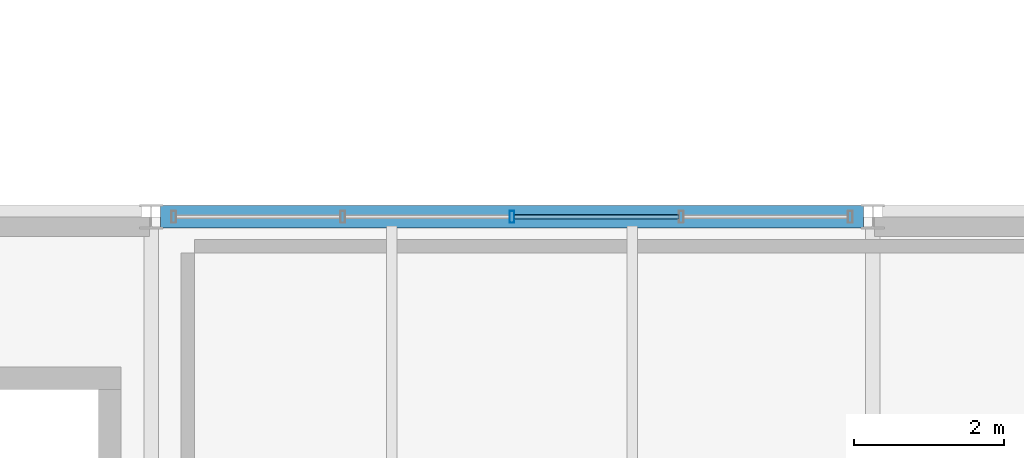
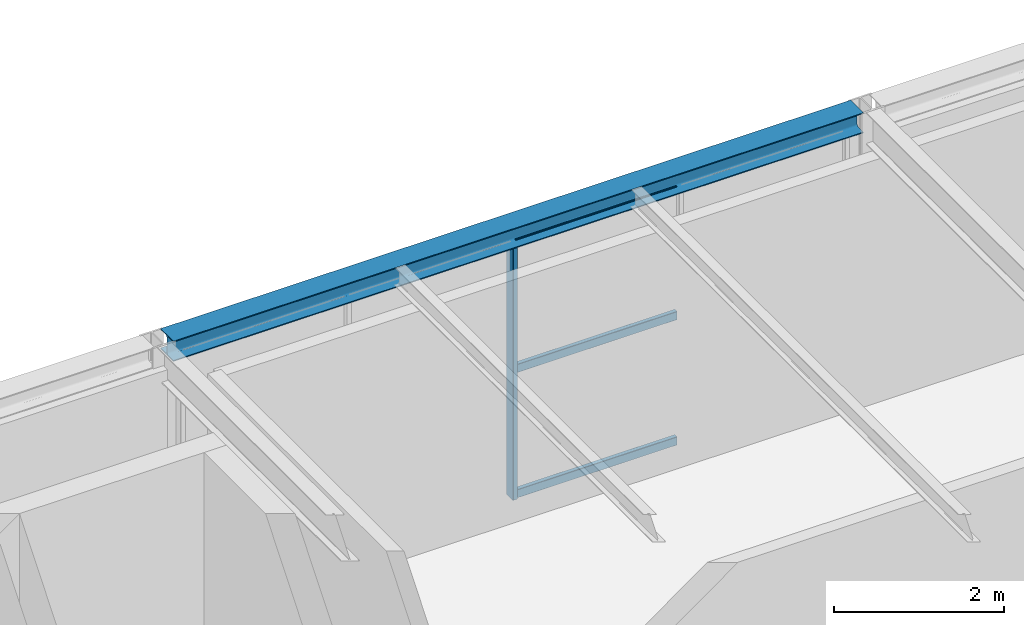
# One storey, part 27 of 50: 4 members, 1 beam, 1 element without a shape of its own.
"""IFC4 building model written with IfcOpenShell, lengths in metres."""

from ifc_helpers import new_model, si_unit, direction, frame, origin, origin_2d, place, context, subcontext, project, spatial, hollow_rectangle, i_section, extrude, material, material_profile, profile_set, type_object, element, aggregate, save


model = new_model("IFC4")

# Units and contexts
model_context = context("Model", 3, precision=1e-05, world=origin(), true_north=direction((0.0, 1.0)))
body_context = subcontext(model_context, "Body", "Model", "MODEL_VIEW")
ifc_project = project(units=[si_unit("LENGTHUNIT", "METRE"), si_unit("AREAUNIT", "SQUARE_METRE"), si_unit("VOLUMEUNIT", "CUBIC_METRE"), si_unit("PLANEANGLEUNIT", "RADIAN"), si_unit("MASSUNIT", "GRAM", prefix="KILO")], contexts=[model_context])

# Site, building, storey
site_placement = place(None, origin())
site = spatial("IfcSite", under=ifc_project, at=site_placement, CompositionType="ELEMENT")
building_placement = place(site_placement, origin())
building = spatial("IfcBuilding", under=site, at=building_placement, Name="Coralgate Yard Interchange", CompositionType="ELEMENT")
storey_placement = place(building_placement, frame((0.0, 0.0, 14.699951171875)))
storey = spatial("IfcBuildingStorey", under=building, at=storey_placement, Name="L03", CompositionType="ELEMENT", Elevation=14.699951171875)

# Beam
ifc_material_1 = material(Name="Structural steel S355J2", Category="steel")
ifc_material_profile_1 = material_profile(ifc_material_1, i_section(OverallWidth=0.300048828125, OverallDepth=0.2900390625, WebThickness=0.008544921875, FlangeThickness=0.013916015625, FilletRadius=0.027099609375, at=origin_2d()), Name="HEA 300")
ifc_profile_set_1 = profile_set([ifc_material_profile_1], Name="Structural steel S355J2")
beam_type = type_object("IfcBeamType", Name="BM-SP-2", PredefinedType="SPANDREL", material=ifc_profile_set_1)
beam_placement = place(storey_placement, frame((57.7255859375, 19.199951171875, 3.804931640625), z_axis=(1.0, 0.0, 0.0), x_axis=(0.0, 1.0, 0.0)))
element("IfcBeam", 1, at=beam_placement, inside=storey, type_object=beam_type, Name="L03 primary grid beam Y2 X6-7", PredefinedType="SPANDREL", context=body_context, shape_type="SweptSolid", body=[
    extrude(i_section(OverallWidth=0.300048828125, OverallDepth=0.2900390625, WebThickness=0.008544921875, FlangeThickness=0.013916015625, FilletRadius=0.027099609375, at=origin_2d()), origin(), (0.0, 0.0, 1.0), 9.348876953125),
])

# Curtain wall, members
ifc_material_2 = material(Name="Anodised coastal aluminium and solar-control low-E glass", Category="aluminium")
curtain_wall_type = type_object("IfcCurtainWallType", Name="CW-CW-L03-A", PredefinedType="NOTDEFINED", material=ifc_material_2)
curtain_wall_placement = place(storey_placement, origin())
curtain_wall = element("IfcCurtainWall", 2, at=curtain_wall_placement, inside=storey, type_object=curtain_wall_type, Name="L03 unitised curtain wall CW-L03-N-06-01", PredefinedType="NOTDEFINED")
ifc_material_3 = material(Name="Anodised coastal aluminium 6063-T6", Category="aluminium")
ifc_material_profile_2 = material_profile(ifc_material_3, hollow_rectangle(XDim=0.06494140625, YDim=0.159912109375, WallThickness=0.00390625, InnerFilletRadius=0.00390625, OuterFilletRadius=0.008056640625, at=origin_2d()), Name="ALU 65x160x4")
ifc_profile_set_2 = profile_set([ifc_material_profile_2], Name="Anodised coastal aluminium 6063-T6")
member_type_1 = type_object("IfcMemberType", Name="MB-MUL-160", PredefinedType="MULLION", material=ifc_profile_set_2)
member_1_placement = place(storey_placement, frame((62.39990234375, 19.199951171875, 0.0), z_axis=(0.0, 0.0, 1.0), x_axis=(1.0, 0.0, 0.0)))
member_1 = element("IfcMember", 3, at=member_1_placement, type_object=member_type_1, Name="CW-L03-N-06-01 vertical mullion 3", PredefinedType="MULLION", context=body_context, shape_type="SweptSolid", body=[
    extrude(hollow_rectangle(XDim=0.06494140625, YDim=0.159912109375, WallThickness=0.00390625, InnerFilletRadius=0.00390625, OuterFilletRadius=0.008056640625, at=origin_2d()), origin(), (0.0, 0.0, 1.0), 3.66015625),
])
ifc_material_profile_3 = material_profile(ifc_material_3, hollow_rectangle(XDim=0.06005859375, YDim=0.1201171875, WallThickness=0.00341796875, InnerFilletRadius=0.00341796875, OuterFilletRadius=0.007080078125, at=origin_2d()), Name="ALU 60x120x3.5")
ifc_profile_set_3 = profile_set([ifc_material_profile_3], Name="Anodised coastal aluminium 6063-T6")
member_type_2 = type_object("IfcMemberType", Name="MB-TRN-120", PredefinedType="USERDEFINED", material=ifc_profile_set_3)
member_2_placement = place(storey_placement, frame((62.429931640625, 19.199951171875, 0.03515625), z_axis=(1.0, 0.0, 0.0), x_axis=(0.0, 1.0, 0.0)))
member_2 = element("IfcMember", 4, at=member_2_placement, type_object=member_type_2, Name="CW-L03-N-06-01 horizontal transom 3-1", ObjectType="TRANSOM", PredefinedType="USERDEFINED", context=body_context, shape_type="SweptSolid", body=[
    extrude(hollow_rectangle(XDim=0.06005859375, YDim=0.1201171875, WallThickness=0.00341796875, InnerFilletRadius=0.00341796875, OuterFilletRadius=0.007080078125, at=origin_2d()), origin(), (0.0, 0.0, 1.0), 2.190185546875),
])
member_3_placement = place(storey_placement, frame((62.429931640625, 19.199951171875, 1.830078125), z_axis=(1.0, 0.0, 0.0), x_axis=(0.0, 1.0, 0.0)))
member_3 = element("IfcMember", 5, at=member_3_placement, type_object=member_type_2, Name="CW-L03-N-06-01 horizontal transom 3-2", ObjectType="TRANSOM", PredefinedType="USERDEFINED", context=body_context, shape_type="SweptSolid", body=[
    extrude(hollow_rectangle(XDim=0.06005859375, YDim=0.1201171875, WallThickness=0.00341796875, InnerFilletRadius=0.00341796875, OuterFilletRadius=0.007080078125, at=origin_2d()), origin(), (0.0, 0.0, 1.0), 2.190185546875),
])
member_4_placement = place(storey_placement, frame((62.429931640625, 19.199951171875, 3.625), z_axis=(1.0, 0.0, 0.0), x_axis=(0.0, 1.0, 0.0)))
member_4 = element("IfcMember", 6, at=member_4_placement, type_object=member_type_2, Name="CW-L03-N-06-01 horizontal transom 3-3", ObjectType="TRANSOM", PredefinedType="USERDEFINED", context=body_context, shape_type="SweptSolid", body=[
    extrude(hollow_rectangle(XDim=0.06005859375, YDim=0.1201171875, WallThickness=0.00341796875, InnerFilletRadius=0.00341796875, OuterFilletRadius=0.007080078125, at=origin_2d()), origin(), (0.0, 0.0, 1.0), 2.190185546875),
])
aggregate(curtain_wall, [member_1, member_2, member_3, member_4])

save(model, "model.ifc")
